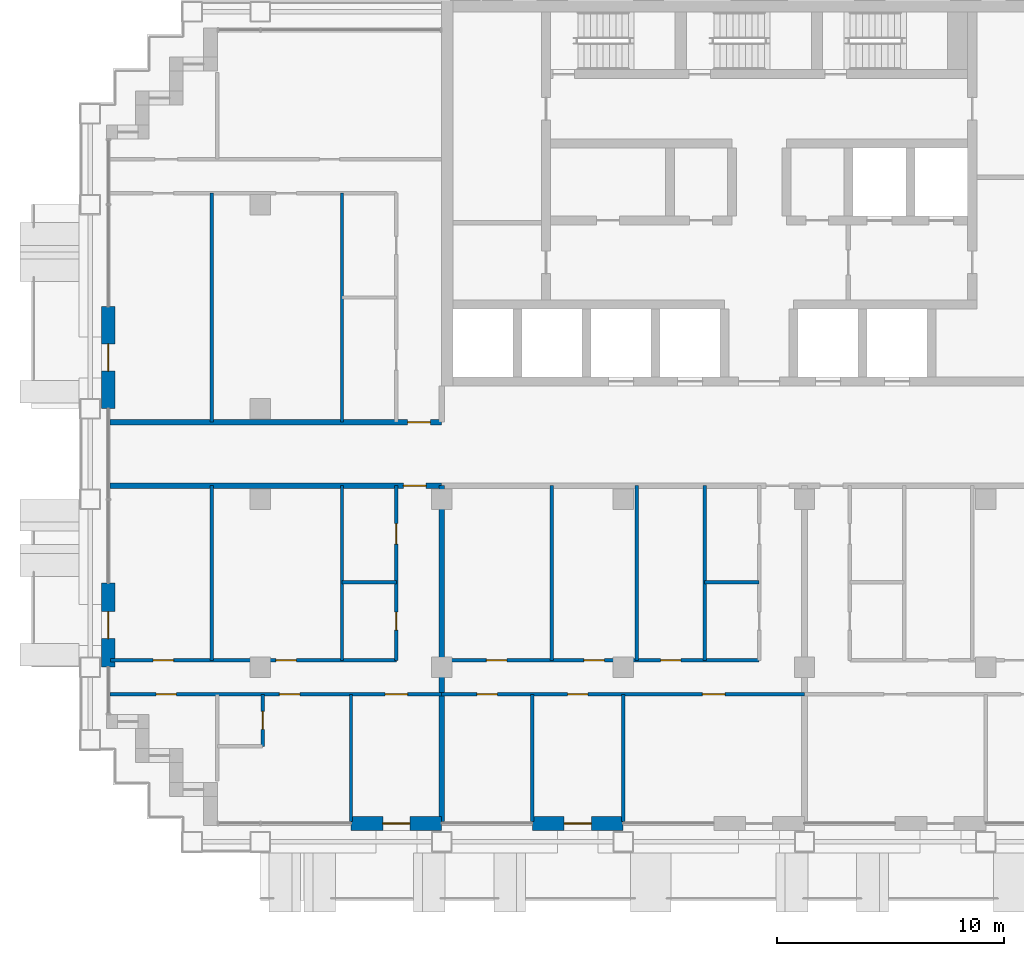
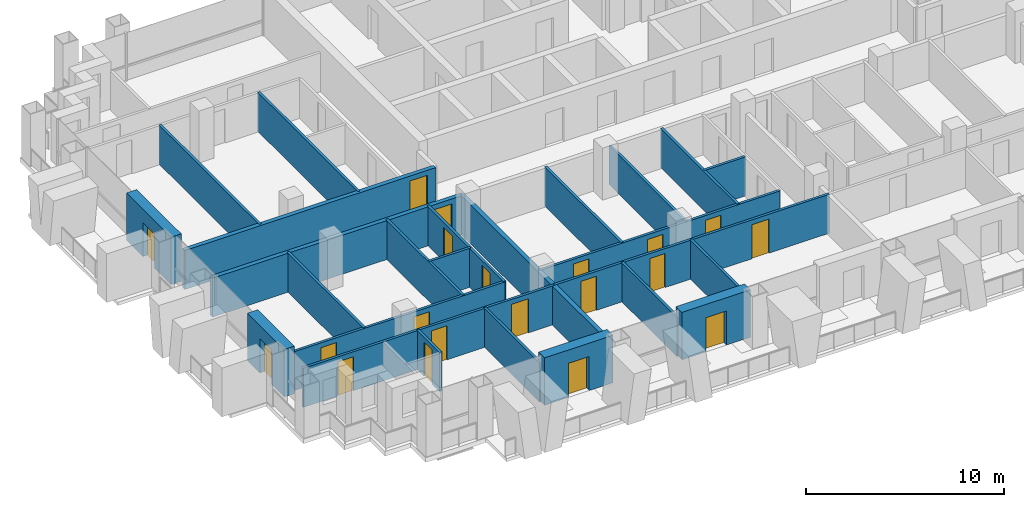
# One storey, part 9 of 18: 25 walls, 20 doors, 20 openings.
"""IFC4 building model written with IfcOpenShell, lengths in metres."""

from ifc_helpers import new_model, si_unit, direction, frame, frame_2d, origin, place, context, subcontext, project, spatial, rectangle, extrude, material, layer, layer_set, type_object, element, fill, save


model = new_model("IFC4")

# Units and contexts
model_context = context("Model", 3, precision=1e-05, world=origin(), true_north=direction((0.0, 1.0)))
body_context = subcontext(model_context, "Body", "Model", "MODEL_VIEW")
ifc_project = project(units=[si_unit("LENGTHUNIT", "METRE"), si_unit("AREAUNIT", "SQUARE_METRE"), si_unit("VOLUMEUNIT", "CUBIC_METRE"), si_unit("PLANEANGLEUNIT", "RADIAN"), si_unit("MASSUNIT", "GRAM", prefix="KILO")], contexts=[model_context])

# Site, building, storey
site_placement = place(None, origin())
site = spatial("IfcSite", under=ifc_project, at=site_placement, CompositionType="ELEMENT")
building_placement = place(site_placement, origin())
building = spatial("IfcBuilding", under=site, at=building_placement, Name="Vidyagriha Tower", CompositionType="ELEMENT")
storey_placement = place(building_placement, frame((0.0, 0.0, 93.5)))
storey = spatial("IfcBuildingStorey", under=building, at=storey_placement, Name="L24", CompositionType="ELEMENT", Elevation=93.5)

# Wall, opening, door
ifc_material_1 = material(Name="Precast concrete C40/50 with brick facing", Category="concrete")
ifc_layer_1 = layer(ifc_material_1, 0.60009765625)
ifc_layer_set_1 = layer_set([ifc_layer_1], Name="Precast concrete C40/50 with brick facing")
wall_type_1 = type_object("IfcWallType", Name="Brick-faced precast wall 600", PredefinedType="STANDARD", material=ifc_layer_set_1)
wall_1_placement = place(storey_placement, frame((-28.699951171875, 6.5, 0.0), z_axis=(0.0, 0.0, 1.0), x_axis=(0.0, -1.0, 0.0)))
wall_1 = element("IfcWall", 1, at=wall_1_placement, inside=storey, type_object=wall_type_1, Name="Brick door bay wall L24 R16.3", PredefinedType="STANDARD", context=body_context, shape_type="SweptSolid", body=[
    extrude(rectangle(XDim=4.5, YDim=0.60009765625, at=frame_2d((2.25, 0.0))), origin(), (0.0, 0.0, 1.0), 2.919921875),
])
opening_1_placement = place(wall_1_placement, frame((1.64990234375, 0.0, 0.0)))
opening_1 = element("IfcOpeningElement", 2, at=opening_1_placement, cuts=wall_1, Name="Opening D24-73", PredefinedType="OPENING", context=body_context, shape_type="SweptSolid", body=[
    extrude(rectangle(XDim=1.199951171875, YDim=2.10009765625, at=frame_2d((0.60009765625, 1.050048828125))), frame((0.0, 0.31005859375, 0.0), z_axis=(0.0, -1.0, 0.0), x_axis=(1.0, 0.0, 0.0)), (0.0, 0.0, 1.0), 0.6201171875),
])
ifc_material_2 = material(Name="Aluminium framed glazed sliding door", Category="aluminium")
door_type_1 = type_object("IfcDoorType", Name="Balcony sliding door 1200x2100", OperationType="NOTDEFINED", PredefinedType="DOOR", material=ifc_material_2)
door_1_placement = place(opening_1_placement, origin())
door_1 = element("IfcDoor", 3, at=door_1_placement, inside=storey, type_object=door_type_1, Name="Door D24-73", OperationType="SLIDING_TO_LEFT", OverallHeight=2.10009765625, OverallWidth=1.199951171875, PredefinedType="DOOR", context=body_context, shape_type="SweptSolid", body=[
    extrude(rectangle(XDim=1.199951171875, YDim=2.10009765625, at=frame_2d((0.60009765625, 1.050048828125))), frame((0.0, 0.02490234375, 0.0), z_axis=(0.0, -1.0, 0.0), x_axis=(1.0, 0.0, 0.0)), (0.0, 0.0, 1.0), 0.050048828125),
])
fill(opening_1, door_1)

wall_2_placement = place(storey_placement, frame((-28.699951171875, -5.699951171875, 0.0), z_axis=(0.0, 0.0, 1.0), x_axis=(0.0, -1.0, 0.0)))
wall_2 = element("IfcWall", 4, at=wall_2_placement, inside=storey, type_object=wall_type_1, Name="Brick door bay wall L24 R16.6", PredefinedType="STANDARD", context=body_context, shape_type="SweptSolid", body=[
    extrude(rectangle(XDim=3.699951171875, YDim=0.60009765625, at=frame_2d((1.85009765625, 0.0))), origin(), (0.0, 0.0, 1.0), 2.919921875),
])
opening_2_placement = place(wall_2_placement, frame((1.25, 0.0, 0.0)))
opening_2 = element("IfcOpeningElement", 5, at=opening_2_placement, cuts=wall_2, Name="Opening D24-74", PredefinedType="OPENING", context=body_context, shape_type="SweptSolid", body=[
    extrude(rectangle(XDim=1.199951171875, YDim=2.10009765625, at=frame_2d((0.60009765625, 1.050048828125))), frame((0.0, 0.31005859375, 0.0), z_axis=(0.0, -1.0, 0.0), x_axis=(1.0, 0.0, 0.0)), (0.0, 0.0, 1.0), 0.6201171875),
])
door_2_placement = place(opening_2_placement, origin())
door_2 = element("IfcDoor", 6, at=door_2_placement, inside=storey, type_object=door_type_1, Name="Door D24-74", OperationType="SLIDING_TO_LEFT", OverallHeight=2.10009765625, OverallWidth=1.199951171875, PredefinedType="DOOR", context=body_context, shape_type="SweptSolid", body=[
    extrude(rectangle(XDim=1.199951171875, YDim=2.10009765625, at=frame_2d((0.60009765625, 1.050048828125))), frame((0.0, 0.02490234375, 0.0), z_axis=(0.0, -1.0, 0.0), x_axis=(1.0, 0.0, 0.0)), (0.0, 0.0, 1.0), 0.050048828125),
])
fill(opening_2, door_2)

wall_3_placement = place(storey_placement, frame((-18.0, -16.300048828125, 0.0)))
wall_3 = element("IfcWall", 7, at=wall_3_placement, inside=storey, type_object=wall_type_1, Name="Brick door bay wall L24 R23.3", PredefinedType="STANDARD", context=body_context, shape_type="SweptSolid", body=[
    extrude(rectangle(XDim=4.0, YDim=0.60009765625, at=frame_2d((2.0, 0.0))), origin(), (0.0, 0.0, 1.0), 2.919921875),
])
opening_3_placement = place(wall_3_placement, frame((1.39990234375, 0.0, 0.0)))
opening_3 = element("IfcOpeningElement", 8, at=opening_3_placement, cuts=wall_3, Name="Opening D24-75", PredefinedType="OPENING", context=body_context, shape_type="SweptSolid", body=[
    extrude(rectangle(XDim=1.199951171875, YDim=2.10009765625, at=frame_2d((0.60009765625, 1.050048828125))), frame((0.0, 0.31005859375, 0.0), z_axis=(0.0, -1.0, 0.0), x_axis=(1.0, 0.0, 0.0)), (0.0, 0.0, 1.0), 0.6201171875),
])
door_3_placement = place(opening_3_placement, origin())
door_3 = element("IfcDoor", 9, at=door_3_placement, inside=storey, type_object=door_type_1, Name="Door D24-75", OperationType="SLIDING_TO_LEFT", OverallHeight=2.10009765625, OverallWidth=1.199951171875, PredefinedType="DOOR", context=body_context, shape_type="SweptSolid", body=[
    extrude(rectangle(XDim=1.199951171875, YDim=2.10009765625, at=frame_2d((0.60009765625, 1.050048828125))), frame((0.0, 0.02490234375, 0.0), z_axis=(0.0, -1.0, 0.0), x_axis=(1.0, 0.0, 0.0)), (0.0, 0.0, 1.0), 0.050048828125),
])
fill(opening_3, door_3)

wall_4_placement = place(storey_placement, frame((-10.0, -16.300048828125, 0.0)))
wall_4 = element("IfcWall", 10, at=wall_4_placement, inside=storey, type_object=wall_type_1, Name="Brick door bay wall L24 R23.5", PredefinedType="STANDARD", context=body_context, shape_type="SweptSolid", body=[
    extrude(rectangle(XDim=4.0, YDim=0.60009765625, at=frame_2d((2.0, 0.0))), origin(), (0.0, 0.0, 1.0), 2.919921875),
])
opening_4_placement = place(wall_4_placement, frame((1.39990234375, 0.0, 0.0)))
opening_4 = element("IfcOpeningElement", 11, at=opening_4_placement, cuts=wall_4, Name="Opening D24-76", PredefinedType="OPENING", context=body_context, shape_type="SweptSolid", body=[
    extrude(rectangle(XDim=1.199951171875, YDim=2.10009765625, at=frame_2d((0.60009765625, 1.050048828125))), frame((0.0, 0.31005859375, 0.0), z_axis=(0.0, -1.0, 0.0), x_axis=(1.0, 0.0, 0.0)), (0.0, 0.0, 1.0), 0.6201171875),
])
door_4_placement = place(opening_4_placement, origin())
door_4 = element("IfcDoor", 12, at=door_4_placement, inside=storey, type_object=door_type_1, Name="Door D24-76", OperationType="SLIDING_TO_LEFT", OverallHeight=2.10009765625, OverallWidth=1.199951171875, PredefinedType="DOOR", context=body_context, shape_type="SweptSolid", body=[
    extrude(rectangle(XDim=1.199951171875, YDim=2.10009765625, at=frame_2d((0.60009765625, 1.050048828125))), frame((0.0, 0.02490234375, 0.0), z_axis=(0.0, -1.0, 0.0), x_axis=(1.0, 0.0, 0.0)), (0.0, 0.0, 1.0), 0.050048828125),
])
fill(opening_4, door_4)

ifc_material_3 = material(Name="Fired clay brick masonry", Category="masonry")
ifc_layer_2 = layer(ifc_material_3, 0.25)
ifc_layer_set_2 = layer_set([ifc_layer_2], Name="Fired clay brick masonry")
wall_type_2 = type_object("IfcWallType", Name="Fired clay brick corridor wall 250", PredefinedType="PARTITIONING", material=ifc_layer_set_2)
wall_5_placement = place(storey_placement, frame((-14.0, -1.39990234375, 0.0), z_axis=(0.0, 0.0, 1.0), x_axis=(-1.0, 0.0, 0.0)))
wall_5 = element("IfcWall", 13, at=wall_5_placement, inside=storey, type_object=wall_type_2, Name="Wall all-L24-w081", PredefinedType="PARTITIONING", context=body_context, shape_type="SweptSolid", body=[
    extrude(rectangle(XDim=14.6201171875, YDim=0.25, at=frame_2d((7.31005859375, 0.0))), origin(), (0.0, 0.0, 1.0), 2.39990234375),
])
opening_5_placement = place(wall_5_placement, frame((0.68896484375, 0.0, 0.0)))
opening_5 = element("IfcOpeningElement", 14, at=opening_5_placement, cuts=wall_5, Name="Opening D24-21", PredefinedType="OPENING", context=body_context, shape_type="SweptSolid", body=[
    extrude(rectangle(XDim=1.0, YDim=2.10009765625, at=frame_2d((0.5, 1.050048828125))), frame((0.0, 0.135009765625, 0.0), z_axis=(0.0, -1.0, 0.0), x_axis=(1.0, 0.0, 0.0)), (0.0, 0.0, 1.0), 0.27001953125),
])
ifc_material_4 = material(Name="Fire-rated timber door leaf EI 60", Category="wood")
door_type_2 = type_object("IfcDoorType", Name="Flat entrance fire door 1000x2100", OperationType="NOTDEFINED", PredefinedType="DOOR", material=ifc_material_4)
door_5_placement = place(opening_5_placement, origin())
door_5 = element("IfcDoor", 15, at=door_5_placement, inside=storey, type_object=door_type_2, Name="Door D24-21", OperationType="SINGLE_SWING_LEFT", OverallHeight=2.10009765625, OverallWidth=1.0, PredefinedType="DOOR", context=body_context, shape_type="SweptSolid", body=[
    extrude(rectangle(XDim=1.0, YDim=2.10009765625, at=frame_2d((0.5, 1.050048828125))), frame((0.0, 0.02490234375, 0.0), z_axis=(0.0, -1.0, 0.0), x_axis=(1.0, 0.0, 0.0)), (0.0, 0.0, 1.0), 0.050048828125),
])
fill(opening_5, door_5)

wall_6_placement = place(storey_placement, frame((-28.6201171875, 1.39990234375, 0.0)))
wall_6 = element("IfcWall", 16, at=wall_6_placement, inside=storey, type_object=wall_type_2, Name="Wall all-L24-w098", PredefinedType="PARTITIONING", context=body_context, shape_type="SweptSolid", body=[
    extrude(rectangle(XDim=14.6201171875, YDim=0.25, at=frame_2d((7.31005859375, 0.0))), origin(), (0.0, 0.0, 1.0), 2.39990234375),
])
opening_6_placement = place(wall_6_placement, frame((13.1201171875, 0.0, 0.0)))
opening_6 = element("IfcOpeningElement", 17, at=opening_6_placement, cuts=wall_6, Name="Opening D24-57", PredefinedType="OPENING", context=body_context, shape_type="SweptSolid", body=[
    extrude(rectangle(XDim=1.0, YDim=2.10009765625, at=frame_2d((0.5, 1.050048828125))), frame((0.0, 0.135009765625, 0.0), z_axis=(0.0, -1.0, 0.0), x_axis=(1.0, 0.0, 0.0)), (0.0, 0.0, 1.0), 0.27001953125),
])
door_6_placement = place(opening_6_placement, origin())
door_6 = element("IfcDoor", 18, at=door_6_placement, inside=storey, type_object=door_type_2, Name="Door D24-57", OperationType="SINGLE_SWING_RIGHT", OverallHeight=2.10009765625, OverallWidth=1.0, PredefinedType="DOOR", context=body_context, shape_type="SweptSolid", body=[
    extrude(rectangle(XDim=1.0, YDim=2.10009765625, at=frame_2d((0.5, 1.050048828125))), frame((0.0, 0.02490234375, 0.0), z_axis=(0.0, -1.0, 0.0), x_axis=(1.0, 0.0, 0.0)), (0.0, 0.0, 1.0), 0.050048828125),
])
fill(opening_6, door_6)

# Walls
ifc_material_5 = material(Name="Fired clay brick masonry", Category="masonry")
ifc_layer_3 = layer(ifc_material_5, 0.25)
ifc_layer_set_3 = layer_set([ifc_layer_3], Name="Fired clay brick masonry")
wall_type_3 = type_object("IfcWallType", Name="Fired clay brick demising wall 250", PredefinedType="PARTITIONING", material=ifc_layer_set_3)
wall_7_placement = place(storey_placement, frame((-14.0, -1.39990234375, 0.0), z_axis=(0.0, 0.0, 1.0), x_axis=(0.0, -1.0, 0.0)))
element("IfcWall", 19, at=wall_7_placement, inside=storey, type_object=wall_type_3, Name="Wall all-L24-w038", PredefinedType="PARTITIONING", context=body_context, shape_type="SweptSolid", body=[
    extrude(rectangle(XDim=14.81005859375, YDim=0.25, at=frame_2d((7.405029296875, 0.0))), origin(), (0.0, 0.0, 1.0), 2.39990234375),
])
ifc_material_6 = material(Name="Gypsum board partition")
ifc_layer_4 = layer(ifc_material_6, 0.14990234375)
ifc_layer_set_4 = layer_set([ifc_layer_4], Name="Gypsum board partition")
wall_type_4 = type_object("IfcWallType", Name="Gypsum board partition 150", PredefinedType="PARTITIONING", material=ifc_layer_set_4)
wall_8_placement = place(storey_placement, frame((-16.0, -5.64990234375, 0.0), z_axis=(0.0, 0.0, 1.0), x_axis=(-1.0, 0.0, 0.0)))
element("IfcWall", 20, at=wall_8_placement, inside=storey, type_object=wall_type_4, Name="Wall all-L24-w004", PredefinedType="PARTITIONING", context=body_context, shape_type="SweptSolid", body=[
    extrude(rectangle(XDim=2.39990234375, YDim=0.14990234375, at=frame_2d((1.199951171875, 0.0))), origin(), (0.0, 0.0, 1.0), 2.39990234375),
])
for number, where, z_axis, x_axis, name in (
    (21, (-18.39990234375, -9.10009765625, 0.0), (0.0, 0.0, 1.0), (0.0, 1.0, 0.0), "Wall all-L24-w005"),
    (22, (-24.14990234375, -9.10009765625, 0.0), (0.0, 0.0, 1.0), (0.0, 1.0, 0.0), "Wall all-L24-w006"),
):
    element("IfcWall", number, at=place(storey_placement, frame(where, z_axis=z_axis, x_axis=x_axis)), inside=storey, type_object=wall_type_4, Name=name, PredefinedType="PARTITIONING", context=body_context, shape_type="SweptSolid", body=[
        extrude(rectangle(XDim=7.7001953125, YDim=0.14990234375, at=frame_2d((3.85009765625, 0.0))), origin(), (0.0, 0.0, 1.0), 2.39990234375),
    ])

# Wall, openings, doors
wall_9_placement = place(storey_placement, frame((-28.610107421875, -9.10009765625, 0.0)))
wall_9 = element("IfcWall", 23, at=wall_9_placement, inside=storey, type_object=wall_type_4, Name="Wall all-L24-w007", PredefinedType="PARTITIONING", context=body_context, shape_type="SweptSolid", body=[
    extrude(rectangle(XDim=12.610107421875, YDim=0.14990234375, at=frame_2d((6.30517578125, 0.0))), origin(), (0.0, 0.0, 1.0), 2.39990234375),
])
opening_7_placement = place(wall_9_placement, frame((7.299072265625, 0.0, 0.0)))
opening_7 = element("IfcOpeningElement", 24, at=opening_7_placement, cuts=wall_9, Name="Opening D24-15", PredefinedType="OPENING", context=body_context, shape_type="SweptSolid", body=[
    extrude(rectangle(XDim=0.89990234375, YDim=2.10009765625, at=frame_2d((0.449951171875, 1.050048828125))), frame((0.0, 0.0849609375, 0.0), z_axis=(0.0, -1.0, 0.0), x_axis=(1.0, 0.0, 0.0)), (0.0, 0.0, 1.0), 0.169921875),
])
opening_8_placement = place(wall_9_placement, frame((1.885009765625, 0.0, 0.0)))
opening_8 = element("IfcOpeningElement", 25, at=opening_8_placement, cuts=wall_9, Name="Opening D24-16", PredefinedType="OPENING", context=body_context, shape_type="SweptSolid", body=[
    extrude(rectangle(XDim=0.89990234375, YDim=2.10009765625, at=frame_2d((0.449951171875, 1.050048828125))), frame((0.0, 0.0849609375, 0.0), z_axis=(0.0, -1.0, 0.0), x_axis=(1.0, 0.0, 0.0)), (0.0, 0.0, 1.0), 0.169921875),
])
ifc_material_7 = material(Name="Timber door leaf", Category="wood")
door_type_3 = type_object("IfcDoorType", Name="Room door 900x2100", OperationType="NOTDEFINED", PredefinedType="DOOR", material=ifc_material_7)
door_7_placement = place(opening_7_placement, origin())
door_7 = element("IfcDoor", 26, at=door_7_placement, inside=storey, type_object=door_type_3, Name="Door D24-15", OperationType="SINGLE_SWING_RIGHT", OverallHeight=2.10009765625, OverallWidth=0.89990234375, PredefinedType="DOOR", context=body_context, shape_type="SweptSolid", body=[
    extrude(rectangle(XDim=0.89990234375, YDim=2.10009765625, at=frame_2d((0.449951171875, 1.050048828125))), frame((0.0, 0.02490234375, 0.0), z_axis=(0.0, -1.0, 0.0), x_axis=(1.0, 0.0, 0.0)), (0.0, 0.0, 1.0), 0.050048828125),
])
fill(opening_7, door_7)
door_8_placement = place(opening_8_placement, origin())
door_8 = element("IfcDoor", 27, at=door_8_placement, inside=storey, type_object=door_type_3, Name="Door D24-16", OperationType="SINGLE_SWING_RIGHT", OverallHeight=2.10009765625, OverallWidth=0.89990234375, PredefinedType="DOOR", context=body_context, shape_type="SweptSolid", body=[
    extrude(rectangle(XDim=0.89990234375, YDim=2.10009765625, at=frame_2d((0.449951171875, 1.050048828125))), frame((0.0, 0.02490234375, 0.0), z_axis=(0.0, -1.0, 0.0), x_axis=(1.0, 0.0, 0.0)), (0.0, 0.0, 1.0), 0.050048828125),
])
fill(opening_8, door_8)

wall_10_placement = place(storey_placement, frame((-14.0, -10.60009765625, 0.0), z_axis=(0.0, 0.0, 1.0), x_axis=(-1.0, 0.0, 0.0)))
wall_10 = element("IfcWall", 28, at=wall_10_placement, inside=storey, type_object=wall_type_4, Name="Wall all-L24-w010", PredefinedType="PARTITIONING", context=body_context, shape_type="SweptSolid", body=[
    extrude(rectangle(XDim=14.6201171875, YDim=0.14990234375, at=frame_2d((7.31005859375, 0.0))), origin(), (0.0, 0.0, 1.0), 2.39990234375),
])
opening_9_placement = place(wall_10_placement, frame((11.699951171875, 0.0, 0.0)))
opening_9 = element("IfcOpeningElement", 29, at=opening_9_placement, cuts=wall_10, Name="Opening D24-17", PredefinedType="OPENING", context=body_context, shape_type="SweptSolid", body=[
    extrude(rectangle(XDim=0.89990234375, YDim=2.10009765625, at=frame_2d((0.449951171875, 1.050048828125))), frame((0.0, 0.0849609375, 0.0), z_axis=(0.0, -1.0, 0.0), x_axis=(1.0, 0.0, 0.0)), (0.0, 0.0, 1.0), 0.169921875),
])
opening_10_placement = place(wall_10_placement, frame((6.260986328125, 0.0, 0.0)))
opening_10 = element("IfcOpeningElement", 30, at=opening_10_placement, cuts=wall_10, Name="Opening D24-18", PredefinedType="OPENING", context=body_context, shape_type="SweptSolid", body=[
    extrude(rectangle(XDim=0.89990234375, YDim=2.10009765625, at=frame_2d((0.449951171875, 1.050048828125))), frame((0.0, 0.0849609375, 0.0), z_axis=(0.0, -1.0, 0.0), x_axis=(1.0, 0.0, 0.0)), (0.0, 0.0, 1.0), 0.169921875),
])
opening_11_placement = place(wall_10_placement, frame((1.5, 0.0, 0.0)))
opening_11 = element("IfcOpeningElement", 31, at=opening_11_placement, cuts=wall_10, Name="Opening D24-19", PredefinedType="OPENING", context=body_context, shape_type="SweptSolid", body=[
    extrude(rectangle(XDim=1.0, YDim=2.10009765625, at=frame_2d((0.5, 1.050048828125))), frame((0.0, 0.0849609375, 0.0), z_axis=(0.0, -1.0, 0.0), x_axis=(1.0, 0.0, 0.0)), (0.0, 0.0, 1.0), 0.169921875),
])
ifc_material_8 = material(Name="Timber door leaf", Category="wood")
door_type_4 = type_object("IfcDoorType", Name="Room door 1000x2100", OperationType="NOTDEFINED", PredefinedType="DOOR", material=ifc_material_8)
door_9_placement = place(opening_11_placement, origin())
door_9 = element("IfcDoor", 32, at=door_9_placement, inside=storey, type_object=door_type_4, Name="Door D24-19", OperationType="SINGLE_SWING_RIGHT", OverallHeight=2.10009765625, OverallWidth=1.0, PredefinedType="DOOR", context=body_context, shape_type="SweptSolid", body=[
    extrude(rectangle(XDim=1.0, YDim=2.10009765625, at=frame_2d((0.5, 1.050048828125))), frame((0.0, 0.02490234375, 0.0), z_axis=(0.0, -1.0, 0.0), x_axis=(1.0, 0.0, 0.0)), (0.0, 0.0, 1.0), 0.050048828125),
])
fill(opening_11, door_9)
door_10_placement = place(opening_9_placement, origin())
door_10 = element("IfcDoor", 33, at=door_10_placement, inside=storey, type_object=door_type_3, Name="Door D24-17", OperationType="SINGLE_SWING_RIGHT", OverallHeight=2.10009765625, OverallWidth=0.89990234375, PredefinedType="DOOR", context=body_context, shape_type="SweptSolid", body=[
    extrude(rectangle(XDim=0.89990234375, YDim=2.10009765625, at=frame_2d((0.449951171875, 1.050048828125))), frame((0.0, 0.02490234375, 0.0), z_axis=(0.0, -1.0, 0.0), x_axis=(1.0, 0.0, 0.0)), (0.0, 0.0, 1.0), 0.050048828125),
])
fill(opening_9, door_10)
door_11_placement = place(opening_10_placement, origin())
door_11 = element("IfcDoor", 34, at=door_11_placement, inside=storey, type_object=door_type_3, Name="Door D24-18", OperationType="SINGLE_SWING_LEFT", OverallHeight=2.10009765625, OverallWidth=0.89990234375, PredefinedType="DOOR", context=body_context, shape_type="SweptSolid", body=[
    extrude(rectangle(XDim=0.89990234375, YDim=2.10009765625, at=frame_2d((0.449951171875, 1.050048828125))), frame((0.0, 0.02490234375, 0.0), z_axis=(0.0, -1.0, 0.0), x_axis=(1.0, 0.0, 0.0)), (0.0, 0.0, 1.0), 0.050048828125),
])
fill(opening_10, door_11)

# Wall
wall_11_placement = place(storey_placement, frame((-18.0, -10.60009765625, 0.0), z_axis=(0.0, 0.0, 1.0), x_axis=(0.0, -1.0, 0.0)))
element("IfcWall", 35, at=wall_11_placement, inside=storey, type_object=wall_type_4, Name="Wall all-L24-w015", PredefinedType="PARTITIONING", context=body_context, shape_type="SweptSolid", body=[
    extrude(rectangle(XDim=5.620849609375, YDim=0.14990234375, at=frame_2d((2.810546875, 0.0))), origin(), (0.0, 0.0, 1.0), 2.39990234375),
])

# Wall, opening, door
wall_12_placement = place(storey_placement, frame((-21.89990234375, -10.60009765625, 0.0), z_axis=(0.0, 0.0, 1.0), x_axis=(0.0, -1.0, 0.0)))
wall_12 = element("IfcWall", 36, at=wall_12_placement, inside=storey, type_object=wall_type_4, Name="Wall all-L24-w016", PredefinedType="PARTITIONING", context=body_context, shape_type="SweptSolid", body=[
    extrude(rectangle(XDim=2.2998046875, YDim=0.14990234375, at=frame_2d((1.14990234375, 0.0))), origin(), (0.0, 0.0, 1.0), 2.39990234375),
])
opening_12_placement = place(wall_12_placement, frame((0.75, 0.0, 0.0)))
opening_12 = element("IfcOpeningElement", 37, at=opening_12_placement, cuts=wall_12, Name="Opening D24-20", PredefinedType="OPENING", context=body_context, shape_type="SweptSolid", body=[
    extrude(rectangle(XDim=0.800048828125, YDim=2.10009765625, at=frame_2d((0.39990234375, 1.050048828125))), frame((0.0, 0.0849609375, 0.0), z_axis=(0.0, -1.0, 0.0), x_axis=(1.0, 0.0, 0.0)), (0.0, 0.0, 1.0), 0.169921875),
])
ifc_material_9 = material(Name="Timber door leaf", Category="wood")
door_type_5 = type_object("IfcDoorType", Name="Bathroom door 800x2100", OperationType="NOTDEFINED", PredefinedType="DOOR", material=ifc_material_9)
door_12_placement = place(opening_12_placement, origin())
door_12 = element("IfcDoor", 38, at=door_12_placement, inside=storey, type_object=door_type_5, Name="Door D24-20", OperationType="SINGLE_SWING_LEFT", OverallHeight=2.10009765625, OverallWidth=0.800048828125, PredefinedType="DOOR", context=body_context, shape_type="SweptSolid", body=[
    extrude(rectangle(XDim=0.800048828125, YDim=2.10009765625, at=frame_2d((0.39990234375, 1.050048828125))), frame((0.0, 0.02490234375, 0.0), z_axis=(0.0, -1.0, 0.0), x_axis=(1.0, 0.0, 0.0)), (0.0, 0.0, 1.0), 0.050048828125),
])
fill(opening_12, door_12)

# Walls
wall_13_placement = place(storey_placement, frame((0.0, -5.64990234375, 0.0), z_axis=(0.0, 0.0, 1.0), x_axis=(-1.0, 0.0, 0.0)))
element("IfcWall", 39, at=wall_13_placement, inside=storey, type_object=wall_type_4, Name="Wall all-L24-w023", PredefinedType="PARTITIONING", context=body_context, shape_type="SweptSolid", body=[
    extrude(rectangle(XDim=2.39990234375, YDim=0.14990234375, at=frame_2d((1.199951171875, 0.0))), origin(), (0.0, 0.0, 1.0), 2.39990234375),
])
for number, where, z_axis, x_axis, name in (
    (40, (-2.39990234375, -9.10009765625, 0.0), (0.0, 0.0, 1.0), (0.0, 1.0, 0.0), "Wall all-L24-w024"),
    (41, (-5.39990234375, -9.10009765625, 0.0), (0.0, 0.0, 1.0), (0.0, 1.0, 0.0), "Wall all-L24-w025"),
    (42, (-9.14990234375, -9.10009765625, 0.0), (0.0, 0.0, 1.0), (0.0, 1.0, 0.0), "Wall all-L24-w026"),
):
    element("IfcWall", number, at=place(storey_placement, frame(where, z_axis=z_axis, x_axis=x_axis)), inside=storey, type_object=wall_type_4, Name=name, PredefinedType="PARTITIONING", context=body_context, shape_type="SweptSolid", body=[
        extrude(rectangle(XDim=7.7001953125, YDim=0.14990234375, at=frame_2d((3.85009765625, 0.0))), origin(), (0.0, 0.0, 1.0), 2.39990234375),
    ])

# Wall, openings, doors
wall_14_placement = place(storey_placement, frame((-14.0, -9.10009765625, 0.0)))
wall_14 = element("IfcWall", 43, at=wall_14_placement, inside=storey, type_object=wall_type_4, Name="Wall all-L24-w027", PredefinedType="PARTITIONING", context=body_context, shape_type="SweptSolid", body=[
    extrude(rectangle(XDim=14.0, YDim=0.14990234375, at=frame_2d((7.0, 0.0))), origin(), (0.0, 0.0, 1.0), 2.39990234375),
])
opening_13_placement = place(wall_14_placement, frame((9.64990234375, 0.0, 0.0)))
opening_13 = element("IfcOpeningElement", 44, at=opening_13_placement, cuts=wall_14, Name="Opening D24-24", PredefinedType="OPENING", context=body_context, shape_type="SweptSolid", body=[
    extrude(rectangle(XDim=0.89990234375, YDim=2.10009765625, at=frame_2d((0.449951171875, 1.050048828125))), frame((0.0, 0.0849609375, 0.0), z_axis=(0.0, -1.0, 0.0), x_axis=(1.0, 0.0, 0.0)), (0.0, 0.0, 1.0), 0.169921875),
])
opening_14_placement = place(wall_14_placement, frame((6.27490234375, 0.0, 0.0)))
opening_14 = element("IfcOpeningElement", 45, at=opening_14_placement, cuts=wall_14, Name="Opening D24-25", PredefinedType="OPENING", context=body_context, shape_type="SweptSolid", body=[
    extrude(rectangle(XDim=0.89990234375, YDim=2.10009765625, at=frame_2d((0.449951171875, 1.050048828125))), frame((0.0, 0.0849609375, 0.0), z_axis=(0.0, -1.0, 0.0), x_axis=(1.0, 0.0, 0.0)), (0.0, 0.0, 1.0), 0.169921875),
])
opening_15_placement = place(wall_14_placement, frame((1.97509765625, 0.0, 0.0)))
opening_15 = element("IfcOpeningElement", 46, at=opening_15_placement, cuts=wall_14, Name="Opening D24-26", PredefinedType="OPENING", context=body_context, shape_type="SweptSolid", body=[
    extrude(rectangle(XDim=0.89990234375, YDim=2.10009765625, at=frame_2d((0.449951171875, 1.050048828125))), frame((0.0, 0.0849609375, 0.0), z_axis=(0.0, -1.0, 0.0), x_axis=(1.0, 0.0, 0.0)), (0.0, 0.0, 1.0), 0.169921875),
])
door_13_placement = place(opening_13_placement, origin())
door_13 = element("IfcDoor", 47, at=door_13_placement, inside=storey, type_object=door_type_3, Name="Door D24-24", OperationType="SINGLE_SWING_LEFT", OverallHeight=2.10009765625, OverallWidth=0.89990234375, PredefinedType="DOOR", context=body_context, shape_type="SweptSolid", body=[
    extrude(rectangle(XDim=0.89990234375, YDim=2.10009765625, at=frame_2d((0.449951171875, 1.050048828125))), frame((0.0, 0.02490234375, 0.0), z_axis=(0.0, -1.0, 0.0), x_axis=(1.0, 0.0, 0.0)), (0.0, 0.0, 1.0), 0.050048828125),
])
fill(opening_13, door_13)
door_14_placement = place(opening_14_placement, origin())
door_14 = element("IfcDoor", 48, at=door_14_placement, inside=storey, type_object=door_type_3, Name="Door D24-25", OperationType="SINGLE_SWING_RIGHT", OverallHeight=2.10009765625, OverallWidth=0.89990234375, PredefinedType="DOOR", context=body_context, shape_type="SweptSolid", body=[
    extrude(rectangle(XDim=0.89990234375, YDim=2.10009765625, at=frame_2d((0.449951171875, 1.050048828125))), frame((0.0, 0.02490234375, 0.0), z_axis=(0.0, -1.0, 0.0), x_axis=(1.0, 0.0, 0.0)), (0.0, 0.0, 1.0), 0.050048828125),
])
fill(opening_14, door_14)
door_15_placement = place(opening_15_placement, origin())
door_15 = element("IfcDoor", 49, at=door_15_placement, inside=storey, type_object=door_type_3, Name="Door D24-26", OperationType="SINGLE_SWING_RIGHT", OverallHeight=2.10009765625, OverallWidth=0.89990234375, PredefinedType="DOOR", context=body_context, shape_type="SweptSolid", body=[
    extrude(rectangle(XDim=0.89990234375, YDim=2.10009765625, at=frame_2d((0.449951171875, 1.050048828125))), frame((0.0, 0.02490234375, 0.0), z_axis=(0.0, -1.0, 0.0), x_axis=(1.0, 0.0, 0.0)), (0.0, 0.0, 1.0), 0.050048828125),
])
fill(opening_15, door_15)

wall_15_placement = place(storey_placement, frame((2.0, -10.60009765625, 0.0), z_axis=(0.0, 0.0, 1.0), x_axis=(-1.0, 0.0, 0.0)))
wall_15 = element("IfcWall", 50, at=wall_15_placement, inside=storey, type_object=wall_type_4, Name="Wall all-L24-w031", PredefinedType="PARTITIONING", context=body_context, shape_type="SweptSolid", body=[
    extrude(rectangle(XDim=16.0, YDim=0.14990234375, at=frame_2d((8.0, 0.0))), origin(), (0.0, 0.0, 1.0), 2.39990234375),
])
opening_16_placement = place(wall_15_placement, frame((13.550048828125, 0.0, 0.0)))
opening_16 = element("IfcOpeningElement", 51, at=opening_16_placement, cuts=wall_15, Name="Opening D24-27", PredefinedType="OPENING", context=body_context, shape_type="SweptSolid", body=[
    extrude(rectangle(XDim=0.89990234375, YDim=2.10009765625, at=frame_2d((0.449951171875, 1.050048828125))), frame((0.0, 0.0849609375, 0.0), z_axis=(0.0, -1.0, 0.0), x_axis=(1.0, 0.0, 0.0)), (0.0, 0.0, 1.0), 0.169921875),
])
opening_17_placement = place(wall_15_placement, frame((9.550048828125, 0.0, 0.0)))
opening_17 = element("IfcOpeningElement", 52, at=opening_17_placement, cuts=wall_15, Name="Opening D24-28", PredefinedType="OPENING", context=body_context, shape_type="SweptSolid", body=[
    extrude(rectangle(XDim=0.89990234375, YDim=2.10009765625, at=frame_2d((0.449951171875, 1.050048828125))), frame((0.0, 0.0849609375, 0.0), z_axis=(0.0, -1.0, 0.0), x_axis=(1.0, 0.0, 0.0)), (0.0, 0.0, 1.0), 0.169921875),
])
opening_18_placement = place(wall_15_placement, frame((3.5, 0.0, 0.0)))
opening_18 = element("IfcOpeningElement", 53, at=opening_18_placement, cuts=wall_15, Name="Opening D24-29", PredefinedType="OPENING", context=body_context, shape_type="SweptSolid", body=[
    extrude(rectangle(XDim=1.0, YDim=2.10009765625, at=frame_2d((0.5, 1.050048828125))), frame((0.0, 0.0849609375, 0.0), z_axis=(0.0, -1.0, 0.0), x_axis=(1.0, 0.0, 0.0)), (0.0, 0.0, 1.0), 0.169921875),
])
door_16_placement = place(opening_18_placement, origin())
door_16 = element("IfcDoor", 54, at=door_16_placement, inside=storey, type_object=door_type_4, Name="Door D24-29", OperationType="SINGLE_SWING_RIGHT", OverallHeight=2.10009765625, OverallWidth=1.0, PredefinedType="DOOR", context=body_context, shape_type="SweptSolid", body=[
    extrude(rectangle(XDim=1.0, YDim=2.10009765625, at=frame_2d((0.5, 1.050048828125))), frame((0.0, 0.02490234375, 0.0), z_axis=(0.0, -1.0, 0.0), x_axis=(1.0, 0.0, 0.0)), (0.0, 0.0, 1.0), 0.050048828125),
])
fill(opening_18, door_16)
door_17_placement = place(opening_16_placement, origin())
door_17 = element("IfcDoor", 55, at=door_17_placement, inside=storey, type_object=door_type_3, Name="Door D24-27", OperationType="SINGLE_SWING_RIGHT", OverallHeight=2.10009765625, OverallWidth=0.89990234375, PredefinedType="DOOR", context=body_context, shape_type="SweptSolid", body=[
    extrude(rectangle(XDim=0.89990234375, YDim=2.10009765625, at=frame_2d((0.449951171875, 1.050048828125))), frame((0.0, 0.02490234375, 0.0), z_axis=(0.0, -1.0, 0.0), x_axis=(1.0, 0.0, 0.0)), (0.0, 0.0, 1.0), 0.050048828125),
])
fill(opening_16, door_17)
door_18_placement = place(opening_17_placement, origin())
door_18 = element("IfcDoor", 56, at=door_18_placement, inside=storey, type_object=door_type_3, Name="Door D24-28", OperationType="SINGLE_SWING_RIGHT", OverallHeight=2.10009765625, OverallWidth=0.89990234375, PredefinedType="DOOR", context=body_context, shape_type="SweptSolid", body=[
    extrude(rectangle(XDim=0.89990234375, YDim=2.10009765625, at=frame_2d((0.449951171875, 1.050048828125))), frame((0.0, 0.02490234375, 0.0), z_axis=(0.0, -1.0, 0.0), x_axis=(1.0, 0.0, 0.0)), (0.0, 0.0, 1.0), 0.050048828125),
])
fill(opening_17, door_18)

# Walls
wall_16_placement = place(storey_placement, frame((-10.0, -10.60009765625, 0.0), z_axis=(0.0, 0.0, 1.0), x_axis=(0.0, -1.0, 0.0)))
element("IfcWall", 57, at=wall_16_placement, inside=storey, type_object=wall_type_4, Name="Wall all-L24-w035", PredefinedType="PARTITIONING", context=body_context, shape_type="SweptSolid", body=[
    extrude(rectangle(XDim=5.620849609375, YDim=0.14990234375, at=frame_2d((2.810546875, 0.0))), origin(), (0.0, 0.0, 1.0), 2.39990234375),
])
wall_17_placement = place(storey_placement, frame((-6.0, -10.60009765625, 0.0), z_axis=(0.0, 0.0, 1.0), x_axis=(0.0, -1.0, 0.0)))
element("IfcWall", 58, at=wall_17_placement, inside=storey, type_object=wall_type_4, Name="Wall all-L24-w036", PredefinedType="PARTITIONING", context=body_context, shape_type="SweptSolid", body=[
    extrude(rectangle(XDim=5.60986328125, YDim=0.14990234375, at=frame_2d((2.804931640625, 0.0))), origin(), (0.0, 0.0, 1.0), 2.39990234375),
])
for number, where, z_axis, x_axis, name in (
    (59, (-18.39990234375, 1.39990234375, 0.0), (0.0, 0.0, 1.0), (0.0, 1.0, 0.0), "Wall all-L24-w088"),
    (60, (-24.14990234375, 1.39990234375, 0.0), (0.0, 0.0, 1.0), (0.0, 1.0, 0.0), "Wall all-L24-w089"),
):
    element("IfcWall", number, at=place(storey_placement, frame(where, z_axis=z_axis, x_axis=x_axis)), inside=storey, type_object=wall_type_4, Name=name, PredefinedType="PARTITIONING", context=body_context, shape_type="SweptSolid", body=[
        extrude(rectangle(XDim=10.10009765625, YDim=0.14990234375, at=frame_2d((5.050048828125, 0.0))), origin(), (0.0, 0.0, 1.0), 2.39990234375),
    ])

# Wall, openings, doors
ifc_material_10 = material(Name="Moisture resistant gypsum board partition")
ifc_layer_5 = layer(ifc_material_10, 0.14990234375)
ifc_layer_set_5 = layer_set([ifc_layer_5], Name="Moisture resistant gypsum board partition")
wall_type_5 = type_object("IfcWallType", Name="Gypsum board wet-area partition 150", PredefinedType="PARTITIONING", material=ifc_layer_set_5)
wall_18_placement = place(storey_placement, frame((-16.0, -9.10009765625, 0.0), z_axis=(0.0, 0.0, 1.0), x_axis=(0.0, 1.0, 0.0)))
wall_18 = element("IfcWall", 61, at=wall_18_placement, inside=storey, type_object=wall_type_5, Name="Wall all-L24-w001", PredefinedType="PARTITIONING", context=body_context, shape_type="SweptSolid", body=[
    extrude(rectangle(XDim=7.7001953125, YDim=0.14990234375, at=frame_2d((3.85009765625, 0.0))), origin(), (0.0, 0.0, 1.0), 2.39990234375),
])
opening_19_placement = place(wall_18_placement, frame((5.125, 0.0, 0.0)))
opening_19 = element("IfcOpeningElement", 62, at=opening_19_placement, cuts=wall_18, Name="Opening D24-13", PredefinedType="OPENING", context=body_context, shape_type="SweptSolid", body=[
    extrude(rectangle(XDim=0.89990234375, YDim=2.10009765625, at=frame_2d((0.449951171875, 1.050048828125))), frame((0.0, 0.0849609375, 0.0), z_axis=(0.0, -1.0, 0.0), x_axis=(1.0, 0.0, 0.0)), (0.0, 0.0, 1.0), 0.169921875),
])
opening_20_placement = place(wall_18_placement, frame((1.324951171875, 0.0, 0.0)))
opening_20 = element("IfcOpeningElement", 63, at=opening_20_placement, cuts=wall_18, Name="Opening D24-14", PredefinedType="OPENING", context=body_context, shape_type="SweptSolid", body=[
    extrude(rectangle(XDim=0.800048828125, YDim=2.10009765625, at=frame_2d((0.39990234375, 1.050048828125))), frame((0.0, 0.0849609375, 0.0), z_axis=(0.0, -1.0, 0.0), x_axis=(1.0, 0.0, 0.0)), (0.0, 0.0, 1.0), 0.169921875),
])
door_19_placement = place(opening_20_placement, origin())
door_19 = element("IfcDoor", 64, at=door_19_placement, inside=storey, type_object=door_type_5, Name="Door D24-14", OperationType="SINGLE_SWING_RIGHT", OverallHeight=2.10009765625, OverallWidth=0.800048828125, PredefinedType="DOOR", context=body_context, shape_type="SweptSolid", body=[
    extrude(rectangle(XDim=0.800048828125, YDim=2.10009765625, at=frame_2d((0.39990234375, 1.050048828125))), frame((0.0, 0.02490234375, 0.0), z_axis=(0.0, -1.0, 0.0), x_axis=(1.0, 0.0, 0.0)), (0.0, 0.0, 1.0), 0.050048828125),
])
fill(opening_20, door_19)
ifc_material_11 = material(Name="Timber door leaf", Category="wood")
door_type_6 = type_object("IfcDoorType", Name="Kitchen door 900x2100", OperationType="NOTDEFINED", PredefinedType="DOOR", material=ifc_material_11)
door_20_placement = place(opening_19_placement, origin())
door_20 = element("IfcDoor", 65, at=door_20_placement, inside=storey, type_object=door_type_6, Name="Door D24-13", OperationType="SINGLE_SWING_LEFT", OverallHeight=2.10009765625, OverallWidth=0.89990234375, PredefinedType="DOOR", context=body_context, shape_type="SweptSolid", body=[
    extrude(rectangle(XDim=0.89990234375, YDim=2.10009765625, at=frame_2d((0.449951171875, 1.050048828125))), frame((0.0, 0.02490234375, 0.0), z_axis=(0.0, -1.0, 0.0), x_axis=(1.0, 0.0, 0.0)), (0.0, 0.0, 1.0), 0.050048828125),
])
fill(opening_19, door_20)

save(model, "model.ifc")
